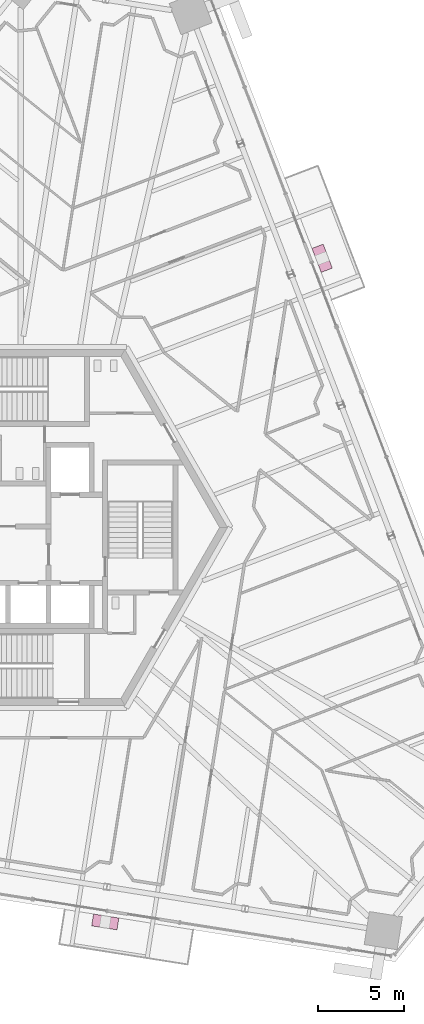
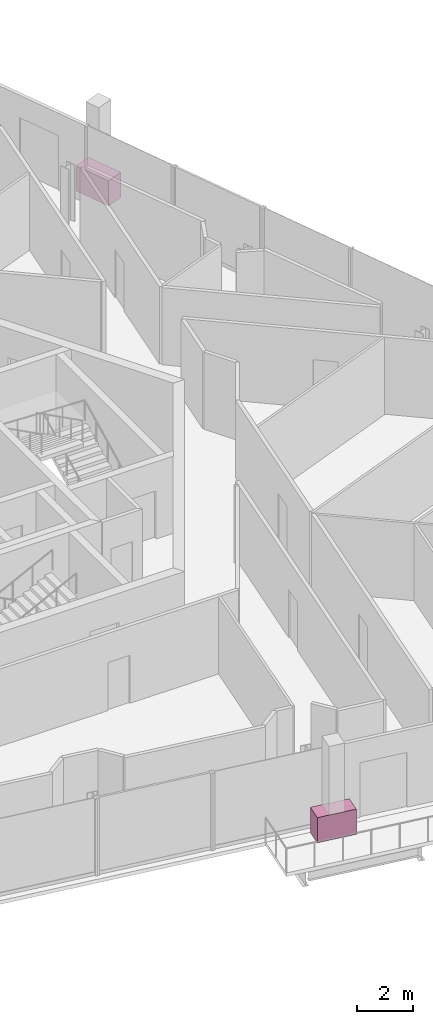
# One storey, part 22 of 23: 2 furniture elements.
"""IFC4 building model written with IfcOpenShell, lengths in metres."""

from ifc_helpers import new_model, si_unit, direction, frame, origin, origin_2d, place, context, subcontext, project, spatial, rectangle, extrude, source, transform, mapped, material, type_object, element, save


model = new_model("IFC4")

# Units and contexts
model_context = context("Model", 3, precision=1e-05, world=origin(), true_north=direction((0.0, 1.0)))
body_context = subcontext(model_context, "Body", "Model", "MODEL_VIEW")
ifc_project = project(units=[si_unit("LENGTHUNIT", "METRE"), si_unit("AREAUNIT", "SQUARE_METRE"), si_unit("VOLUMEUNIT", "CUBIC_METRE"), si_unit("PLANEANGLEUNIT", "RADIAN"), si_unit("MASSUNIT", "GRAM", prefix="KILO")], contexts=[model_context])

# Site, building, storey
site_placement = place(None, origin())
site = spatial("IfcSite", under=ifc_project, at=site_placement, CompositionType="ELEMENT")
building_placement = place(site_placement, origin())
building = spatial("IfcBuilding", under=site, at=building_placement, Name="Triune Harvest Tower", CompositionType="ELEMENT")
storey_placement = place(building_placement, frame((0.0, 0.0, 171.300048828125)))
storey = spatial("IfcBuildingStorey", under=building, at=storey_placement, Name="L44", CompositionType="ELEMENT", Elevation=171.300048828125)

# Furniture
ifc_material = material(Name="Concrete 40 MPa", Category="concrete")
furniture_type = type_object("IfcFurnitureType", Name="PB-1 structural planter", AssemblyPlace="SITE", PredefinedType="USERDEFINED", material=ifc_material)
shared_shape = source(origin(), body_context, "Body", "SweptSolid", [
    extrude(rectangle(XDim=1.5, YDim=0.699951171875, at=origin_2d()), origin(), (0.0, 0.0, 1.0), 1.10009765625),
])
for number, where, z_axis, x_axis, name in (
    (1, (17.528076171875, 15.72900390625, 0.0), (0.0, 0.0, 1.0), (-0.35836927228, 0.933579918746, 0.0), "Planter B4-F1 L44.9a"),
    (2, (4.857666015625, -23.044189453125, 0.0), (0.0, 0.0, 1.0), (0.987688259912, -0.156434974453, 0.0), "Planter B4-F5 L44.9a"),
):
    element("IfcFurniture", number, at=place(storey_placement, frame(where, z_axis=z_axis, x_axis=x_axis)), inside=storey, type_object=furniture_type, Name=name, ObjectType="PLANTER", PredefinedType="USERDEFINED", context=body_context, shape_type="MappedRepresentation", body=[
        mapped(shared_shape, transform((0.0, 0.0, 0.0), scale=1.0)),
    ])

save(model, "model.ifc")
